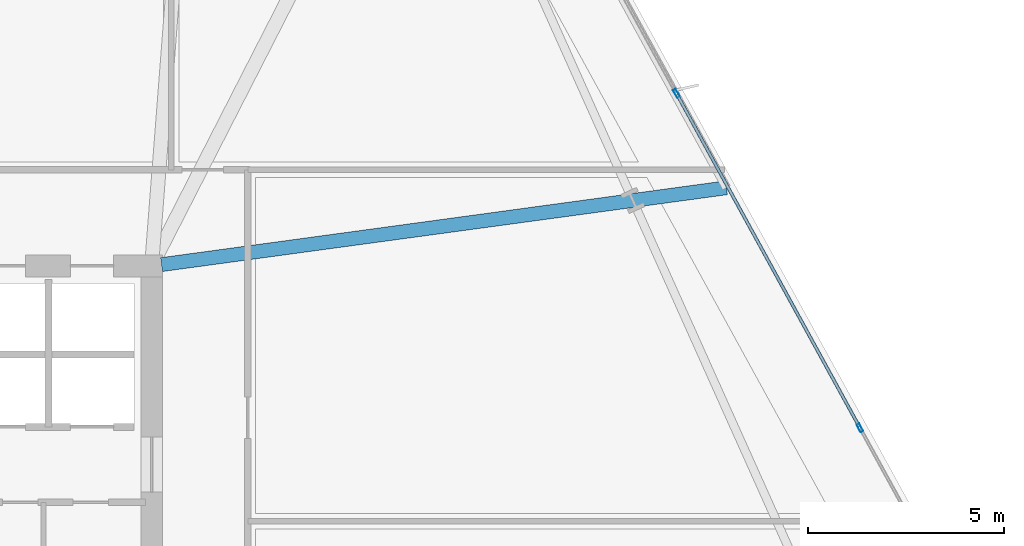
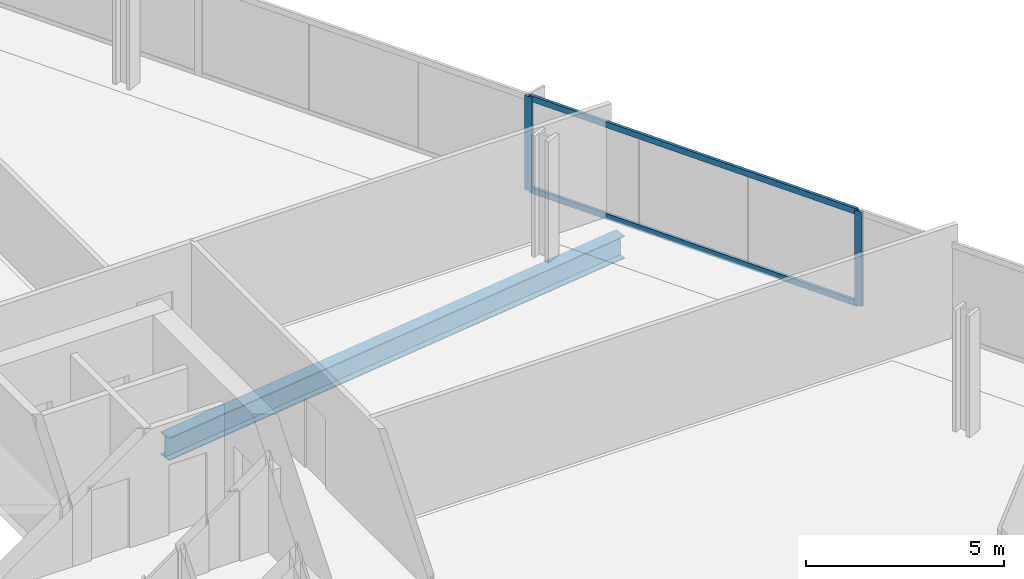
# One storey, part 18 of 33: 4 members, 1 beam, 1 element without a shape of its own.
"""IFC4 building model written with IfcOpenShell, lengths in metres."""

from ifc_helpers import new_model, si_unit, direction, frame, origin, origin_2d, place, context, subcontext, project, spatial, hollow_rectangle, i_section, extrude, material, material_profile, profile_set, type_object, element, aggregate, save


model = new_model("IFC4")

# Units and contexts
model_context = context("Model", 3, precision=1e-05, world=origin(), true_north=direction((0.0, 1.0)))
body_context = subcontext(model_context, "Body", "Model", "MODEL_VIEW")
ifc_project = project(units=[si_unit("LENGTHUNIT", "METRE"), si_unit("AREAUNIT", "SQUARE_METRE"), si_unit("VOLUMEUNIT", "CUBIC_METRE"), si_unit("PLANEANGLEUNIT", "RADIAN"), si_unit("MASSUNIT", "GRAM", prefix="KILO")], contexts=[model_context])

# Site, building, storey
site_placement = place(None, origin())
site = spatial("IfcSite", under=ifc_project, at=site_placement, CompositionType="ELEMENT")
building_placement = place(site_placement, origin())
building = spatial("IfcBuilding", under=site, at=building_placement, Name="Haldenkirk Collegiate Tower", CompositionType="ELEMENT")
storey_placement = place(building_placement, frame((0.0, 0.0, 124.199951171875)))
storey = spatial("IfcBuildingStorey", under=building, at=storey_placement, Name="L30", CompositionType="ELEMENT", Elevation=124.199951171875)

# Beam
ifc_material_1 = material(Name="Steel ASTM A992 Grade 50", Category="steel")
ifc_material_profile_1 = material_profile(ifc_material_1, i_section(OverallWidth=0.35498046875, OverallDepth=0.696044921875, WebThickness=0.015380859375, FlangeThickness=0.02490234375, at=origin_2d()), Name="W27X146")
ifc_profile_set_1 = profile_set([ifc_material_profile_1], Name="Steel ASTM A992 Grade 50")
beam_type = type_object("IfcBeamType", Name="BM-GIRDER-W27X146", PredefinedType="BEAM", material=ifc_profile_set_1)
beam_placement = place(storey_placement, frame((59.63818359375, 35.991455078125, -0.64794921875), z_axis=(-0.990872790673, -0.134800269675, 0.0), x_axis=(0.134800269675, -0.990872790673, 0.0)))
element("IfcBeam", 1, at=beam_placement, inside=storey, type_object=beam_type, Name="L30 primary floor girder 09", PredefinedType="BEAM", context=body_context, shape_type="SweptSolid", body=[
    extrude(i_section(OverallWidth=0.35498046875, OverallDepth=0.696044921875, WebThickness=0.015380859375, FlangeThickness=0.02490234375, at=origin_2d()), origin(), (0.0, 0.0, 1.0), 14.51806640625),
])

# Curtain wall, members
ifc_material_2 = material(Name="Anodised architectural bronze aluminium", Category="aluminium")
curtain_wall_type = type_object("IfcCurtainWallType", Name="CW-SYS1-CONVEX-LOW", PredefinedType="USERDEFINED", material=ifc_material_2)
curtain_wall_placement = place(storey_placement, origin())
curtain_wall = element("IfcCurtainWall", 2, at=curtain_wall_placement, inside=storey, type_object=curtain_wall_type, Name="L30 Lower tower convex bronze-framed unitised curtain wall", ObjectType="UNITISED CURTAIN WALL", PredefinedType="USERDEFINED")
ifc_material_profile_2 = material_profile(ifc_material_2, hollow_rectangle(XDim=0.080078125, YDim=0.219970703125, WallThickness=0.0048828125, at=origin_2d()), Name="CW-MUL-1A")
ifc_profile_set_2 = profile_set([ifc_material_profile_2], Name="Anodised architectural bronze aluminium")
member_type_1 = type_object("IfcMemberType", Name="CW-MUL-1A", PredefinedType="MULLION", material=ifc_profile_set_2)
member_1_placement = place(storey_placement, frame((58.36376953125, 38.3974609375, 0.0), z_axis=(0.0, 0.0, 1.0), x_axis=(0.876726263845, 0.480989665465, 0.0)))
member_1 = element("IfcMember", 3, at=member_1_placement, type_object=member_type_1, Name="CW-1A mullion 3", PredefinedType="MULLION", context=body_context, shape_type="SweptSolid", body=[
    extrude(hollow_rectangle(XDim=0.080078125, YDim=0.219970703125, WallThickness=0.0048828125, at=origin_2d()), origin(), (0.0, 0.0, 1.0), 2.901123046875),
])
member_2_placement = place(storey_placement, frame((63.038330078125, 29.876953125, 0.0), z_axis=(0.0, 0.0, 1.0), x_axis=(0.876726263845, 0.480989665465, 0.0)))
member_2 = element("IfcMember", 4, at=member_2_placement, type_object=member_type_1, Name="CW-1A mullion 4", PredefinedType="MULLION", context=body_context, shape_type="SweptSolid", body=[
    extrude(hollow_rectangle(XDim=0.080078125, YDim=0.219970703125, WallThickness=0.0048828125, at=origin_2d()), origin(), (0.0, 0.0, 1.0), 2.901123046875),
])
ifc_material_profile_3 = material_profile(ifc_material_2, hollow_rectangle(XDim=0.080078125, YDim=0.179931640625, WallThickness=0.0048828125, at=origin_2d()), Name="CW-TRN-1A")
ifc_profile_set_3 = profile_set([ifc_material_profile_3], Name="Anodised architectural bronze aluminium")
member_type_2 = type_object("IfcMemberType", Name="CW-TRN-1A", PredefinedType="USERDEFINED", material=ifc_profile_set_3)
member_3_placement = place(storey_placement, frame((58.383056640625, 38.362548828125, 0.0400390625), z_axis=(0.480971428088, -0.87673626899, 0.0), x_axis=(0.87673626899, 0.480971428088, 0.0)))
member_3 = element("IfcMember", 5, at=member_3_placement, type_object=member_type_2, Name="CW-1A transom 3.1", ObjectType="TRANSOM", PredefinedType="USERDEFINED", context=body_context, shape_type="SweptSolid", body=[
    extrude(hollow_rectangle(XDim=0.080078125, YDim=0.179931640625, WallThickness=0.0048828125, at=origin_2d()), origin(), (0.0, 0.0, 1.0), 9.638916015625),
])
member_4_placement = place(storey_placement, frame((58.383056640625, 38.362548828125, 2.861083984375), z_axis=(0.480971428088, -0.87673626899, 0.0), x_axis=(0.87673626899, 0.480971428088, 0.0)))
member_4 = element("IfcMember", 6, at=member_4_placement, type_object=member_type_2, Name="CW-1A transom 3.2", ObjectType="TRANSOM", PredefinedType="USERDEFINED", context=body_context, shape_type="SweptSolid", body=[
    extrude(hollow_rectangle(XDim=0.080078125, YDim=0.179931640625, WallThickness=0.0048828125, at=origin_2d()), origin(), (0.0, 0.0, 1.0), 9.638916015625),
])
aggregate(curtain_wall, [member_1, member_2, member_3, member_4])

save(model, "model.ifc")
